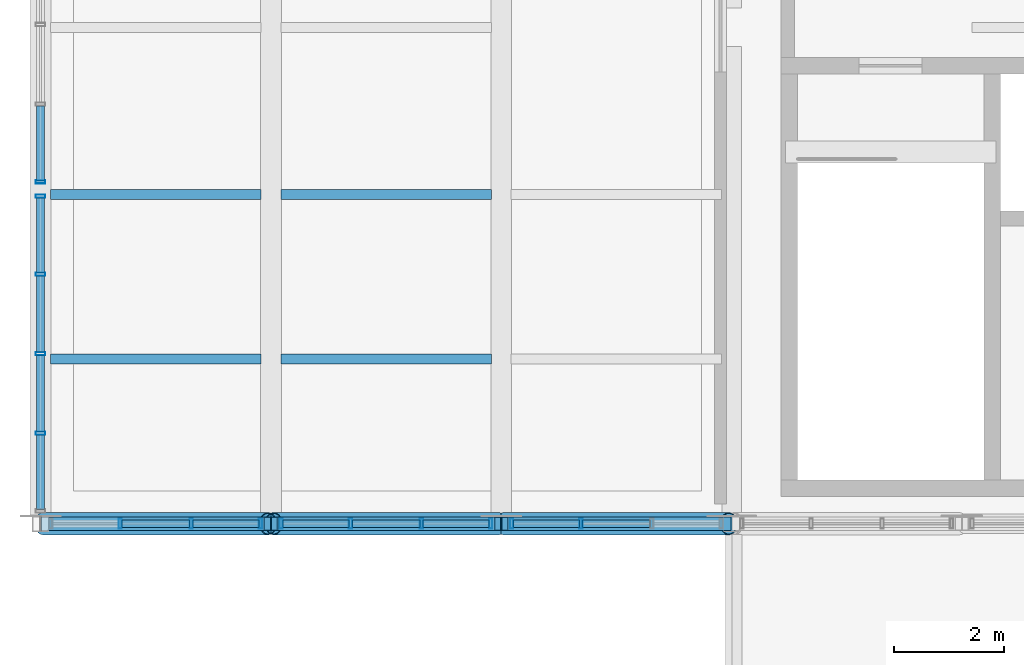
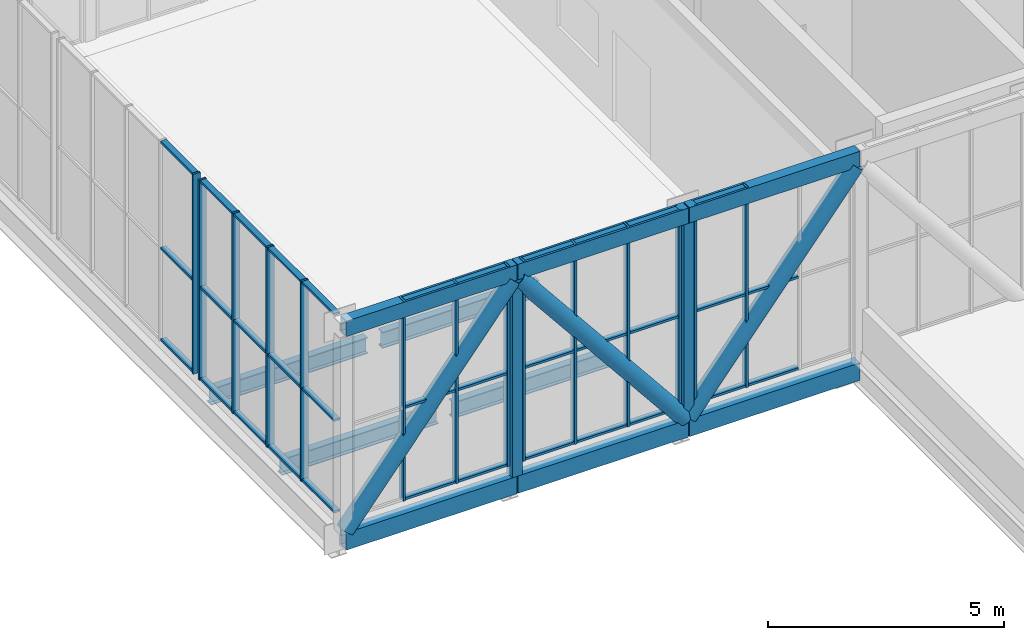
# One storey, part 2 of 58: 60 members, 4 beams, 5 elements without a shape of their own.
"""IFC4 building model written with IfcOpenShell, lengths in metres."""

from ifc_helpers import new_model, si_unit, direction, frame, origin, origin_2d, place, context, subcontext, project, spatial, hollow_rectangle, hollow_circle, i_section, extrude, material, material_profile, profile_set, type_object, element, aggregate, save


model = new_model("IFC4")

# Units and contexts
model_context = context("Model", 3, precision=1e-05, world=origin(), true_north=direction((0.0, 1.0)))
body_context = subcontext(model_context, "Body", "Model", "MODEL_VIEW")
ifc_project = project(units=[si_unit("LENGTHUNIT", "METRE"), si_unit("AREAUNIT", "SQUARE_METRE"), si_unit("VOLUMEUNIT", "CUBIC_METRE"), si_unit("PLANEANGLEUNIT", "RADIAN"), si_unit("MASSUNIT", "GRAM", prefix="KILO")], contexts=[model_context])

# Site, building, storey
site_placement = place(None, origin())
site = spatial("IfcSite", under=ifc_project, at=site_placement, CompositionType="ELEMENT")
building_placement = place(site_placement, origin())
building = spatial("IfcBuilding", under=site, at=building_placement, Name="Khurvash Pelagic Aquarium", CompositionType="ELEMENT")
storey_placement = place(building_placement, frame((0.0, 0.0, 24.60009765625)))
storey = spatial("IfcBuildingStorey", under=building, at=storey_placement, Name="L05", CompositionType="ELEMENT", Elevation=24.60009765625)

# Curtain wall, members
ifc_material_1 = material(Name="Anodised aluminium and low-E laminated glass", Category="aluminium")
curtain_wall_type_1 = type_object("IfcCurtainWallType", Name="CW-01", PredefinedType="USERDEFINED", material=ifc_material_1)
curtain_wall_1_placement = place(storey_placement, origin())
curtain_wall_1 = element("IfcCurtainWall", 1, at=curtain_wall_1_placement, inside=storey, type_object=curtain_wall_type_1, Name="L05 South Sky-Bar Unitised Curtain Wall CW-01 P01", ObjectType="UNITISED CURTAIN WALL", PredefinedType="USERDEFINED")
ifc_material_2 = material(Name="Extruded aluminium AW-6063-T6", Category="aluminium")
ifc_material_profile_1 = material_profile(ifc_material_2, hollow_rectangle(XDim=0.06005859375, YDim=0.179931640625, WallThickness=0.00390625, at=origin_2d()), Name="CWM60X180X4")
ifc_profile_set_1 = profile_set([ifc_material_profile_1], Name="Extruded aluminium AW-6063-T6")
member_type_1 = type_object("IfcMemberType", Name="CM-01", PredefinedType="MULLION", material=ifc_profile_set_1)
member_1_placement = place(storey_placement, frame((14.05322265625, 11.64990234375, 0.0), z_axis=(0.0, 0.0, 1.0), x_axis=(1.0, 0.0, 0.0)))
member_1 = element("IfcMember", 2, at=member_1_placement, type_object=member_type_1, Name="CW-01 mullion 2", PredefinedType="MULLION", context=body_context, shape_type="SweptSolid", body=[
    extrude(hollow_rectangle(XDim=0.06005859375, YDim=0.179931640625, WallThickness=0.00390625, at=origin_2d()), origin(), (0.0, 0.0, 1.0), 5.179931640625),
])
member_2_placement = place(storey_placement, frame((15.3466796875, 11.64990234375, 0.0), z_axis=(0.0, 0.0, 1.0), x_axis=(1.0, 0.0, 0.0)))
member_2 = element("IfcMember", 3, at=member_2_placement, type_object=member_type_1, Name="CW-01 mullion 3", PredefinedType="MULLION", context=body_context, shape_type="SweptSolid", body=[
    extrude(hollow_rectangle(XDim=0.06005859375, YDim=0.179931640625, WallThickness=0.00390625, at=origin_2d()), origin(), (0.0, 0.0, 1.0), 5.179931640625),
])
member_3_placement = place(storey_placement, frame((16.610107421875, 11.64990234375, 0.0), z_axis=(0.0, 0.0, 1.0), x_axis=(1.0, 0.0, 0.0)))
member_3 = element("IfcMember", 4, at=member_3_placement, type_object=member_type_1, Name="CW-01 mullion 4", PredefinedType="MULLION", context=body_context, shape_type="SweptSolid", body=[
    extrude(hollow_rectangle(XDim=0.06005859375, YDim=0.179931640625, WallThickness=0.00390625, at=origin_2d()), origin(), (0.0, 0.0, 1.0), 5.179931640625),
])

curtain_wall_2_placement = place(storey_placement, origin())
curtain_wall_2 = element("IfcCurtainWall", 5, at=curtain_wall_2_placement, inside=storey, type_object=curtain_wall_type_1, Name="L05 South Sky-Bar Unitised Curtain Wall CW-01 P02", ObjectType="UNITISED CURTAIN WALL", PredefinedType="USERDEFINED")
member_4_placement = place(storey_placement, frame((16.989990234375, 11.64990234375, 0.0), z_axis=(0.0, 0.0, 1.0), x_axis=(1.0, 0.0, 0.0)))
member_4 = element("IfcMember", 6, at=member_4_placement, type_object=member_type_1, Name="CW-01 mullion 1", PredefinedType="MULLION", context=body_context, shape_type="SweptSolid", body=[
    extrude(hollow_rectangle(XDim=0.06005859375, YDim=0.179931640625, WallThickness=0.00390625, at=origin_2d()), origin(), (0.0, 0.0, 1.0), 5.179931640625),
])
member_5_placement = place(storey_placement, frame((18.25341796875, 11.64990234375, 0.0), z_axis=(0.0, 0.0, 1.0), x_axis=(1.0, 0.0, 0.0)))
member_5 = element("IfcMember", 7, at=member_5_placement, type_object=member_type_1, Name="CW-01 mullion 2", PredefinedType="MULLION", context=body_context, shape_type="SweptSolid", body=[
    extrude(hollow_rectangle(XDim=0.06005859375, YDim=0.179931640625, WallThickness=0.00390625, at=origin_2d()), origin(), (0.0, 0.0, 1.0), 5.179931640625),
])
member_6_placement = place(storey_placement, frame((19.546630859375, 11.64990234375, 0.0), z_axis=(0.0, 0.0, 1.0), x_axis=(1.0, 0.0, 0.0)))
member_6 = element("IfcMember", 8, at=member_6_placement, type_object=member_type_1, Name="CW-01 mullion 3", PredefinedType="MULLION", context=body_context, shape_type="SweptSolid", body=[
    extrude(hollow_rectangle(XDim=0.06005859375, YDim=0.179931640625, WallThickness=0.00390625, at=origin_2d()), origin(), (0.0, 0.0, 1.0), 5.179931640625),
])
member_7_placement = place(storey_placement, frame((20.81005859375, 11.64990234375, 0.0), z_axis=(0.0, 0.0, 1.0), x_axis=(1.0, 0.0, 0.0)))
member_7 = element("IfcMember", 9, at=member_7_placement, type_object=member_type_1, Name="CW-01 mullion 4", PredefinedType="MULLION", context=body_context, shape_type="SweptSolid", body=[
    extrude(hollow_rectangle(XDim=0.06005859375, YDim=0.179931640625, WallThickness=0.00390625, at=origin_2d()), origin(), (0.0, 0.0, 1.0), 5.179931640625),
])

curtain_wall_3_placement = place(storey_placement, origin())
curtain_wall_3 = element("IfcCurtainWall", 10, at=curtain_wall_3_placement, inside=storey, type_object=curtain_wall_type_1, Name="L05 South Sky-Bar Unitised Curtain Wall CW-01 P03", ObjectType="UNITISED CURTAIN WALL", PredefinedType="USERDEFINED")
member_8_placement = place(storey_placement, frame((21.18994140625, 11.64990234375, 0.0), z_axis=(0.0, 0.0, 1.0), x_axis=(1.0, 0.0, 0.0)))
member_8 = element("IfcMember", 11, at=member_8_placement, type_object=member_type_1, Name="CW-01 mullion 1", PredefinedType="MULLION", context=body_context, shape_type="SweptSolid", body=[
    extrude(hollow_rectangle(XDim=0.06005859375, YDim=0.179931640625, WallThickness=0.00390625, at=origin_2d()), origin(), (0.0, 0.0, 1.0), 5.179931640625),
])
member_9_placement = place(storey_placement, frame((22.453369140625, 11.64990234375, 0.0), z_axis=(0.0, 0.0, 1.0), x_axis=(1.0, 0.0, 0.0)))
member_9 = element("IfcMember", 12, at=member_9_placement, type_object=member_type_1, Name="CW-01 mullion 2", PredefinedType="MULLION", context=body_context, shape_type="SweptSolid", body=[
    extrude(hollow_rectangle(XDim=0.06005859375, YDim=0.179931640625, WallThickness=0.00390625, at=origin_2d()), origin(), (0.0, 0.0, 1.0), 5.179931640625),
])

curtain_wall_type_2 = type_object("IfcCurtainWallType", Name="CW-04", PredefinedType="USERDEFINED", material=ifc_material_1)
curtain_wall_4_placement = place(storey_placement, origin())
curtain_wall_4 = element("IfcCurtainWall", 13, at=curtain_wall_4_placement, inside=storey, type_object=curtain_wall_type_2, Name="L05 West Cantilever Overlook Curtain Wall CW-04", ObjectType="UNITISED CURTAIN WALL", PredefinedType="USERDEFINED")
member_10_placement = place(storey_placement, frame((12.60009765625, 13.300048828125, 0.0), z_axis=(0.0, 0.0, 1.0), x_axis=(0.0, 1.0, 0.0)))
member_10 = element("IfcMember", 14, at=member_10_placement, type_object=member_type_1, Name="CW-04 mullion 2", PredefinedType="MULLION", context=body_context, shape_type="SweptSolid", body=[
    extrude(hollow_rectangle(XDim=0.06005859375, YDim=0.179931640625, WallThickness=0.00390625, at=origin_2d()), origin(), (0.0, 0.0, 1.0), 5.179931640625),
])
member_11_placement = place(storey_placement, frame((12.60009765625, 14.75, 0.0), z_axis=(0.0, 0.0, 1.0), x_axis=(0.0, 1.0, 0.0)))
member_11 = element("IfcMember", 15, at=member_11_placement, type_object=member_type_1, Name="CW-04 mullion 3", PredefinedType="MULLION", context=body_context, shape_type="SweptSolid", body=[
    extrude(hollow_rectangle(XDim=0.06005859375, YDim=0.179931640625, WallThickness=0.00390625, at=origin_2d()), origin(), (0.0, 0.0, 1.0), 5.179931640625),
])
member_12_placement = place(storey_placement, frame((12.60009765625, 16.199951171875, 0.0), z_axis=(0.0, 0.0, 1.0), x_axis=(0.0, 1.0, 0.0)))
member_12 = element("IfcMember", 16, at=member_12_placement, type_object=member_type_1, Name="CW-04 mullion 4", PredefinedType="MULLION", context=body_context, shape_type="SweptSolid", body=[
    extrude(hollow_rectangle(XDim=0.06005859375, YDim=0.179931640625, WallThickness=0.00390625, at=origin_2d()), origin(), (0.0, 0.0, 1.0), 5.179931640625),
])
member_13_placement = place(storey_placement, frame((12.60009765625, 17.6201171875, 0.0), z_axis=(0.0, 0.0, 1.0), x_axis=(0.0, 1.0, 0.0)))
member_13 = element("IfcMember", 17, at=member_13_placement, type_object=member_type_1, Name="CW-04 mullion 5", PredefinedType="MULLION", context=body_context, shape_type="SweptSolid", body=[
    extrude(hollow_rectangle(XDim=0.06005859375, YDim=0.179931640625, WallThickness=0.00390625, at=origin_2d()), origin(), (0.0, 0.0, 1.0), 5.179931640625),
])

# Curtain wall, member
curtain_wall_5_placement = place(storey_placement, origin())
curtain_wall_5 = element("IfcCurtainWall", 18, at=curtain_wall_5_placement, inside=storey, type_object=curtain_wall_type_2, Name="L05 West Cantilever Overlook Curtain Wall CW-04", ObjectType="UNITISED CURTAIN WALL", PredefinedType="USERDEFINED")
member_14_placement = place(storey_placement, frame((12.60009765625, 17.8798828125, 0.0), z_axis=(0.0, 0.0, 1.0), x_axis=(0.0, 1.0, 0.0)))
member_14 = element("IfcMember", 19, at=member_14_placement, type_object=member_type_1, Name="CW-04 mullion 1", PredefinedType="MULLION", context=body_context, shape_type="SweptSolid", body=[
    extrude(hollow_rectangle(XDim=0.06005859375, YDim=0.179931640625, WallThickness=0.00390625, at=origin_2d()), origin(), (0.0, 0.0, 1.0), 5.179931640625),
])

# Member
ifc_material_profile_2 = material_profile(ifc_material_2, hollow_rectangle(XDim=0.139892578125, YDim=0.06005859375, WallThickness=0.00390625, at=origin_2d()), Name="CWT140X60X4")
ifc_profile_set_2 = profile_set([ifc_material_profile_2], Name="Extruded aluminium AW-6063-T6")
member_type_2 = type_object("IfcMemberType", Name="CT-01", PredefinedType="USERDEFINED", material=ifc_profile_set_2)
member_15_placement = place(storey_placement, frame((14.083251953125, 11.64990234375, 0.02978515625), z_axis=(1.0, 0.0, 0.0), x_axis=(0.0, 1.0, 0.0)))
member_15 = element("IfcMember", 20, at=member_15_placement, type_object=member_type_2, Name="CW-01 transom 2.1", ObjectType="TRANSOM", PredefinedType="USERDEFINED", context=body_context, shape_type="SweptSolid", body=[
    extrude(hollow_rectangle(XDim=0.139892578125, YDim=0.06005859375, WallThickness=0.00390625, at=origin_2d()), origin(), (0.0, 0.0, 1.0), 1.2333984375),
])

member_16_placement = place(storey_placement, frame((14.083251953125, 11.64990234375, 2.39990234375), z_axis=(1.0, 0.0, 0.0), x_axis=(0.0, 1.0, 0.0)))
member_16 = element("IfcMember", 21, at=member_16_placement, type_object=member_type_2, Name="CW-01 transom 2.2", ObjectType="TRANSOM", PredefinedType="USERDEFINED", context=body_context, shape_type="SweptSolid", body=[
    extrude(hollow_rectangle(XDim=0.139892578125, YDim=0.06005859375, WallThickness=0.00390625, at=origin_2d()), origin(), (0.0, 0.0, 1.0), 1.2333984375),
])

member_17_placement = place(storey_placement, frame((14.083251953125, 11.64990234375, 5.14990234375), z_axis=(1.0, 0.0, 0.0), x_axis=(0.0, 1.0, 0.0)))
member_17 = element("IfcMember", 22, at=member_17_placement, type_object=member_type_2, Name="CW-01 transom 2.3", ObjectType="TRANSOM", PredefinedType="USERDEFINED", context=body_context, shape_type="SweptSolid", body=[
    extrude(hollow_rectangle(XDim=0.139892578125, YDim=0.06005859375, WallThickness=0.00390625, at=origin_2d()), origin(), (0.0, 0.0, 1.0), 1.2333984375),
])

member_18_placement = place(storey_placement, frame((15.376708984375, 11.64990234375, 0.02978515625), z_axis=(1.0, 0.0, 0.0), x_axis=(0.0, 1.0, 0.0)))
member_18 = element("IfcMember", 23, at=member_18_placement, type_object=member_type_2, Name="CW-01 transom 3.1", ObjectType="TRANSOM", PredefinedType="USERDEFINED", context=body_context, shape_type="SweptSolid", body=[
    extrude(hollow_rectangle(XDim=0.139892578125, YDim=0.06005859375, WallThickness=0.00390625, at=origin_2d()), origin(), (0.0, 0.0, 1.0), 1.203369140625),
])

member_19_placement = place(storey_placement, frame((15.376708984375, 11.64990234375, 2.39990234375), z_axis=(1.0, 0.0, 0.0), x_axis=(0.0, 1.0, 0.0)))
member_19 = element("IfcMember", 24, at=member_19_placement, type_object=member_type_2, Name="CW-01 transom 3.2", ObjectType="TRANSOM", PredefinedType="USERDEFINED", context=body_context, shape_type="SweptSolid", body=[
    extrude(hollow_rectangle(XDim=0.139892578125, YDim=0.06005859375, WallThickness=0.00390625, at=origin_2d()), origin(), (0.0, 0.0, 1.0), 1.203369140625),
])

member_20_placement = place(storey_placement, frame((15.376708984375, 11.64990234375, 5.14990234375), z_axis=(1.0, 0.0, 0.0), x_axis=(0.0, 1.0, 0.0)))
member_20 = element("IfcMember", 25, at=member_20_placement, type_object=member_type_2, Name="CW-01 transom 3.3", ObjectType="TRANSOM", PredefinedType="USERDEFINED", context=body_context, shape_type="SweptSolid", body=[
    extrude(hollow_rectangle(XDim=0.139892578125, YDim=0.06005859375, WallThickness=0.00390625, at=origin_2d()), origin(), (0.0, 0.0, 1.0), 1.203369140625),
])

aggregate(curtain_wall_1, [member_1, member_2, member_3, member_15, member_16, member_17, member_18, member_19, member_20])

member_21_placement = place(storey_placement, frame((17.02001953125, 11.64990234375, 0.02978515625), z_axis=(1.0, 0.0, 0.0), x_axis=(0.0, 1.0, 0.0)))
member_21 = element("IfcMember", 26, at=member_21_placement, type_object=member_type_2, Name="CW-01 transom 1.1", ObjectType="TRANSOM", PredefinedType="USERDEFINED", context=body_context, shape_type="SweptSolid", body=[
    extrude(hollow_rectangle(XDim=0.139892578125, YDim=0.06005859375, WallThickness=0.00390625, at=origin_2d()), origin(), (0.0, 0.0, 1.0), 1.203369140625),
])

member_22_placement = place(storey_placement, frame((17.02001953125, 11.64990234375, 2.39990234375), z_axis=(1.0, 0.0, 0.0), x_axis=(0.0, 1.0, 0.0)))
member_22 = element("IfcMember", 27, at=member_22_placement, type_object=member_type_2, Name="CW-01 transom 1.2", ObjectType="TRANSOM", PredefinedType="USERDEFINED", context=body_context, shape_type="SweptSolid", body=[
    extrude(hollow_rectangle(XDim=0.139892578125, YDim=0.06005859375, WallThickness=0.00390625, at=origin_2d()), origin(), (0.0, 0.0, 1.0), 1.203369140625),
])

member_23_placement = place(storey_placement, frame((17.02001953125, 11.64990234375, 5.14990234375), z_axis=(1.0, 0.0, 0.0), x_axis=(0.0, 1.0, 0.0)))
member_23 = element("IfcMember", 28, at=member_23_placement, type_object=member_type_2, Name="CW-01 transom 1.3", ObjectType="TRANSOM", PredefinedType="USERDEFINED", context=body_context, shape_type="SweptSolid", body=[
    extrude(hollow_rectangle(XDim=0.139892578125, YDim=0.06005859375, WallThickness=0.00390625, at=origin_2d()), origin(), (0.0, 0.0, 1.0), 1.203369140625),
])

member_24_placement = place(storey_placement, frame((18.283447265625, 11.64990234375, 0.02978515625), z_axis=(1.0, 0.0, 0.0), x_axis=(0.0, 1.0, 0.0)))
member_24 = element("IfcMember", 29, at=member_24_placement, type_object=member_type_2, Name="CW-01 transom 2.1", ObjectType="TRANSOM", PredefinedType="USERDEFINED", context=body_context, shape_type="SweptSolid", body=[
    extrude(hollow_rectangle(XDim=0.139892578125, YDim=0.06005859375, WallThickness=0.00390625, at=origin_2d()), origin(), (0.0, 0.0, 1.0), 1.233154296875),
])

member_25_placement = place(storey_placement, frame((18.283447265625, 11.64990234375, 2.39990234375), z_axis=(1.0, 0.0, 0.0), x_axis=(0.0, 1.0, 0.0)))
member_25 = element("IfcMember", 30, at=member_25_placement, type_object=member_type_2, Name="CW-01 transom 2.2", ObjectType="TRANSOM", PredefinedType="USERDEFINED", context=body_context, shape_type="SweptSolid", body=[
    extrude(hollow_rectangle(XDim=0.139892578125, YDim=0.06005859375, WallThickness=0.00390625, at=origin_2d()), origin(), (0.0, 0.0, 1.0), 1.233154296875),
])

member_26_placement = place(storey_placement, frame((18.283447265625, 11.64990234375, 5.14990234375), z_axis=(1.0, 0.0, 0.0), x_axis=(0.0, 1.0, 0.0)))
member_26 = element("IfcMember", 31, at=member_26_placement, type_object=member_type_2, Name="CW-01 transom 2.3", ObjectType="TRANSOM", PredefinedType="USERDEFINED", context=body_context, shape_type="SweptSolid", body=[
    extrude(hollow_rectangle(XDim=0.139892578125, YDim=0.06005859375, WallThickness=0.00390625, at=origin_2d()), origin(), (0.0, 0.0, 1.0), 1.233154296875),
])

member_27_placement = place(storey_placement, frame((19.57666015625, 11.64990234375, 0.02978515625), z_axis=(1.0, 0.0, 0.0), x_axis=(0.0, 1.0, 0.0)))
member_27 = element("IfcMember", 32, at=member_27_placement, type_object=member_type_2, Name="CW-01 transom 3.1", ObjectType="TRANSOM", PredefinedType="USERDEFINED", context=body_context, shape_type="SweptSolid", body=[
    extrude(hollow_rectangle(XDim=0.139892578125, YDim=0.06005859375, WallThickness=0.00390625, at=origin_2d()), origin(), (0.0, 0.0, 1.0), 1.203369140625),
])

member_28_placement = place(storey_placement, frame((19.57666015625, 11.64990234375, 2.39990234375), z_axis=(1.0, 0.0, 0.0), x_axis=(0.0, 1.0, 0.0)))
member_28 = element("IfcMember", 33, at=member_28_placement, type_object=member_type_2, Name="CW-01 transom 3.2", ObjectType="TRANSOM", PredefinedType="USERDEFINED", context=body_context, shape_type="SweptSolid", body=[
    extrude(hollow_rectangle(XDim=0.139892578125, YDim=0.06005859375, WallThickness=0.00390625, at=origin_2d()), origin(), (0.0, 0.0, 1.0), 1.203369140625),
])

member_29_placement = place(storey_placement, frame((19.57666015625, 11.64990234375, 5.14990234375), z_axis=(1.0, 0.0, 0.0), x_axis=(0.0, 1.0, 0.0)))
member_29 = element("IfcMember", 34, at=member_29_placement, type_object=member_type_2, Name="CW-01 transom 3.3", ObjectType="TRANSOM", PredefinedType="USERDEFINED", context=body_context, shape_type="SweptSolid", body=[
    extrude(hollow_rectangle(XDim=0.139892578125, YDim=0.06005859375, WallThickness=0.00390625, at=origin_2d()), origin(), (0.0, 0.0, 1.0), 1.203369140625),
])

aggregate(curtain_wall_2, [member_4, member_5, member_6, member_7, member_21, member_22, member_23, member_24, member_25, member_26, member_27, member_28, member_29])

member_30_placement = place(storey_placement, frame((21.219970703125, 11.64990234375, 0.02978515625), z_axis=(1.0, 0.0, 0.0), x_axis=(0.0, 1.0, 0.0)))
member_30 = element("IfcMember", 35, at=member_30_placement, type_object=member_type_2, Name="CW-01 transom 1.1", ObjectType="TRANSOM", PredefinedType="USERDEFINED", context=body_context, shape_type="SweptSolid", body=[
    extrude(hollow_rectangle(XDim=0.139892578125, YDim=0.06005859375, WallThickness=0.00390625, at=origin_2d()), origin(), (0.0, 0.0, 1.0), 1.203369140625),
])

member_31_placement = place(storey_placement, frame((21.219970703125, 11.64990234375, 2.39990234375), z_axis=(1.0, 0.0, 0.0), x_axis=(0.0, 1.0, 0.0)))
member_31 = element("IfcMember", 36, at=member_31_placement, type_object=member_type_2, Name="CW-01 transom 1.2", ObjectType="TRANSOM", PredefinedType="USERDEFINED", context=body_context, shape_type="SweptSolid", body=[
    extrude(hollow_rectangle(XDim=0.139892578125, YDim=0.06005859375, WallThickness=0.00390625, at=origin_2d()), origin(), (0.0, 0.0, 1.0), 1.203369140625),
])

member_32_placement = place(storey_placement, frame((21.219970703125, 11.64990234375, 5.14990234375), z_axis=(1.0, 0.0, 0.0), x_axis=(0.0, 1.0, 0.0)))
member_32 = element("IfcMember", 37, at=member_32_placement, type_object=member_type_2, Name="CW-01 transom 1.3", ObjectType="TRANSOM", PredefinedType="USERDEFINED", context=body_context, shape_type="SweptSolid", body=[
    extrude(hollow_rectangle(XDim=0.139892578125, YDim=0.06005859375, WallThickness=0.00390625, at=origin_2d()), origin(), (0.0, 0.0, 1.0), 1.203369140625),
])

member_33_placement = place(storey_placement, frame((22.4833984375, 11.64990234375, 0.02978515625), z_axis=(1.0, 0.0, 0.0), x_axis=(0.0, 1.0, 0.0)))
member_33 = element("IfcMember", 38, at=member_33_placement, type_object=member_type_2, Name="CW-01 transom 2.1", ObjectType="TRANSOM", PredefinedType="USERDEFINED", context=body_context, shape_type="SweptSolid", body=[
    extrude(hollow_rectangle(XDim=0.139892578125, YDim=0.06005859375, WallThickness=0.00390625, at=origin_2d()), origin(), (0.0, 0.0, 1.0), 1.233154296875),
])

member_34_placement = place(storey_placement, frame((22.4833984375, 11.64990234375, 2.39990234375), z_axis=(1.0, 0.0, 0.0), x_axis=(0.0, 1.0, 0.0)))
member_34 = element("IfcMember", 39, at=member_34_placement, type_object=member_type_2, Name="CW-01 transom 2.2", ObjectType="TRANSOM", PredefinedType="USERDEFINED", context=body_context, shape_type="SweptSolid", body=[
    extrude(hollow_rectangle(XDim=0.139892578125, YDim=0.06005859375, WallThickness=0.00390625, at=origin_2d()), origin(), (0.0, 0.0, 1.0), 1.233154296875),
])

aggregate(curtain_wall_3, [member_8, member_9, member_30, member_31, member_32, member_33, member_34])

member_35_placement = place(storey_placement, frame((12.60009765625, 11.909912109375, 0.02978515625), z_axis=(0.0, 1.0, 0.0), x_axis=(-1.0, 0.0, 0.0)))
member_35 = element("IfcMember", 40, at=member_35_placement, type_object=member_type_2, Name="CW-04 transom 1.1", ObjectType="TRANSOM", PredefinedType="USERDEFINED", context=body_context, shape_type="SweptSolid", body=[
    extrude(hollow_rectangle(XDim=0.139892578125, YDim=0.06005859375, WallThickness=0.00390625, at=origin_2d()), origin(), (0.0, 0.0, 1.0), 1.360107421875),
])

member_36_placement = place(storey_placement, frame((12.60009765625, 11.909912109375, 2.39990234375), z_axis=(0.0, 1.0, 0.0), x_axis=(-1.0, 0.0, 0.0)))
member_36 = element("IfcMember", 41, at=member_36_placement, type_object=member_type_2, Name="CW-04 transom 1.2", ObjectType="TRANSOM", PredefinedType="USERDEFINED", context=body_context, shape_type="SweptSolid", body=[
    extrude(hollow_rectangle(XDim=0.139892578125, YDim=0.06005859375, WallThickness=0.00390625, at=origin_2d()), origin(), (0.0, 0.0, 1.0), 1.360107421875),
])

member_37_placement = place(storey_placement, frame((12.60009765625, 11.909912109375, 5.14990234375), z_axis=(0.0, 1.0, 0.0), x_axis=(-1.0, 0.0, 0.0)))
member_37 = element("IfcMember", 42, at=member_37_placement, type_object=member_type_2, Name="CW-04 transom 1.3", ObjectType="TRANSOM", PredefinedType="USERDEFINED", context=body_context, shape_type="SweptSolid", body=[
    extrude(hollow_rectangle(XDim=0.139892578125, YDim=0.06005859375, WallThickness=0.00390625, at=origin_2d()), origin(), (0.0, 0.0, 1.0), 1.360107421875),
])

member_38_placement = place(storey_placement, frame((12.60009765625, 13.330078125, 0.02978515625), z_axis=(0.0, 1.0, 0.0), x_axis=(-1.0, 0.0, 0.0)))
member_38 = element("IfcMember", 43, at=member_38_placement, type_object=member_type_2, Name="CW-04 transom 2.1", ObjectType="TRANSOM", PredefinedType="USERDEFINED", context=body_context, shape_type="SweptSolid", body=[
    extrude(hollow_rectangle(XDim=0.139892578125, YDim=0.06005859375, WallThickness=0.00390625, at=origin_2d()), origin(), (0.0, 0.0, 1.0), 1.389892578125),
])

member_39_placement = place(storey_placement, frame((12.60009765625, 13.330078125, 2.39990234375), z_axis=(0.0, 1.0, 0.0), x_axis=(-1.0, 0.0, 0.0)))
member_39 = element("IfcMember", 44, at=member_39_placement, type_object=member_type_2, Name="CW-04 transom 2.2", ObjectType="TRANSOM", PredefinedType="USERDEFINED", context=body_context, shape_type="SweptSolid", body=[
    extrude(hollow_rectangle(XDim=0.139892578125, YDim=0.06005859375, WallThickness=0.00390625, at=origin_2d()), origin(), (0.0, 0.0, 1.0), 1.389892578125),
])

member_40_placement = place(storey_placement, frame((12.60009765625, 13.330078125, 5.14990234375), z_axis=(0.0, 1.0, 0.0), x_axis=(-1.0, 0.0, 0.0)))
member_40 = element("IfcMember", 45, at=member_40_placement, type_object=member_type_2, Name="CW-04 transom 2.3", ObjectType="TRANSOM", PredefinedType="USERDEFINED", context=body_context, shape_type="SweptSolid", body=[
    extrude(hollow_rectangle(XDim=0.139892578125, YDim=0.06005859375, WallThickness=0.00390625, at=origin_2d()), origin(), (0.0, 0.0, 1.0), 1.389892578125),
])

member_41_placement = place(storey_placement, frame((12.60009765625, 14.780029296875, 0.02978515625), z_axis=(0.0, 1.0, 0.0), x_axis=(-1.0, 0.0, 0.0)))
member_41 = element("IfcMember", 46, at=member_41_placement, type_object=member_type_2, Name="CW-04 transom 3.1", ObjectType="TRANSOM", PredefinedType="USERDEFINED", context=body_context, shape_type="SweptSolid", body=[
    extrude(hollow_rectangle(XDim=0.139892578125, YDim=0.06005859375, WallThickness=0.00390625, at=origin_2d()), origin(), (0.0, 0.0, 1.0), 1.389892578125),
])

member_42_placement = place(storey_placement, frame((12.60009765625, 14.780029296875, 2.39990234375), z_axis=(0.0, 1.0, 0.0), x_axis=(-1.0, 0.0, 0.0)))
member_42 = element("IfcMember", 47, at=member_42_placement, type_object=member_type_2, Name="CW-04 transom 3.2", ObjectType="TRANSOM", PredefinedType="USERDEFINED", context=body_context, shape_type="SweptSolid", body=[
    extrude(hollow_rectangle(XDim=0.139892578125, YDim=0.06005859375, WallThickness=0.00390625, at=origin_2d()), origin(), (0.0, 0.0, 1.0), 1.389892578125),
])

member_43_placement = place(storey_placement, frame((12.60009765625, 14.780029296875, 5.14990234375), z_axis=(0.0, 1.0, 0.0), x_axis=(-1.0, 0.0, 0.0)))
member_43 = element("IfcMember", 48, at=member_43_placement, type_object=member_type_2, Name="CW-04 transom 3.3", ObjectType="TRANSOM", PredefinedType="USERDEFINED", context=body_context, shape_type="SweptSolid", body=[
    extrude(hollow_rectangle(XDim=0.139892578125, YDim=0.06005859375, WallThickness=0.00390625, at=origin_2d()), origin(), (0.0, 0.0, 1.0), 1.389892578125),
])

member_44_placement = place(storey_placement, frame((12.60009765625, 16.22998046875, 0.02978515625), z_axis=(0.0, 1.0, 0.0), x_axis=(-1.0, 0.0, 0.0)))
member_44 = element("IfcMember", 49, at=member_44_placement, type_object=member_type_2, Name="CW-04 transom 4.1", ObjectType="TRANSOM", PredefinedType="USERDEFINED", context=body_context, shape_type="SweptSolid", body=[
    extrude(hollow_rectangle(XDim=0.139892578125, YDim=0.06005859375, WallThickness=0.00390625, at=origin_2d()), origin(), (0.0, 0.0, 1.0), 1.360107421875),
])

member_45_placement = place(storey_placement, frame((12.60009765625, 16.22998046875, 2.39990234375), z_axis=(0.0, 1.0, 0.0), x_axis=(-1.0, 0.0, 0.0)))
member_45 = element("IfcMember", 50, at=member_45_placement, type_object=member_type_2, Name="CW-04 transom 4.2", ObjectType="TRANSOM", PredefinedType="USERDEFINED", context=body_context, shape_type="SweptSolid", body=[
    extrude(hollow_rectangle(XDim=0.139892578125, YDim=0.06005859375, WallThickness=0.00390625, at=origin_2d()), origin(), (0.0, 0.0, 1.0), 1.360107421875),
])

member_46_placement = place(storey_placement, frame((12.60009765625, 16.22998046875, 5.14990234375), z_axis=(0.0, 1.0, 0.0), x_axis=(-1.0, 0.0, 0.0)))
member_46 = element("IfcMember", 51, at=member_46_placement, type_object=member_type_2, Name="CW-04 transom 4.3", ObjectType="TRANSOM", PredefinedType="USERDEFINED", context=body_context, shape_type="SweptSolid", body=[
    extrude(hollow_rectangle(XDim=0.139892578125, YDim=0.06005859375, WallThickness=0.00390625, at=origin_2d()), origin(), (0.0, 0.0, 1.0), 1.360107421875),
])

aggregate(curtain_wall_4, [member_10, member_11, member_12, member_13, member_35, member_36, member_37, member_38, member_39, member_40, member_41, member_42, member_43, member_44, member_45, member_46])

member_47_placement = place(storey_placement, frame((12.60009765625, 17.909912109375, 0.02978515625), z_axis=(0.0, 1.0, 0.0), x_axis=(-1.0, 0.0, 0.0)))
member_47 = element("IfcMember", 52, at=member_47_placement, type_object=member_type_2, Name="CW-04 transom 1.1", ObjectType="TRANSOM", PredefinedType="USERDEFINED", context=body_context, shape_type="SweptSolid", body=[
    extrude(hollow_rectangle(XDim=0.139892578125, YDim=0.06005859375, WallThickness=0.00390625, at=origin_2d()), origin(), (0.0, 0.0, 1.0), 1.360107421875),
])

member_48_placement = place(storey_placement, frame((12.60009765625, 17.909912109375, 2.39990234375), z_axis=(0.0, 1.0, 0.0), x_axis=(-1.0, 0.0, 0.0)))
member_48 = element("IfcMember", 53, at=member_48_placement, type_object=member_type_2, Name="CW-04 transom 1.2", ObjectType="TRANSOM", PredefinedType="USERDEFINED", context=body_context, shape_type="SweptSolid", body=[
    extrude(hollow_rectangle(XDim=0.139892578125, YDim=0.06005859375, WallThickness=0.00390625, at=origin_2d()), origin(), (0.0, 0.0, 1.0), 1.360107421875),
])

member_49_placement = place(storey_placement, frame((12.60009765625, 17.909912109375, 5.14990234375), z_axis=(0.0, 1.0, 0.0), x_axis=(-1.0, 0.0, 0.0)))
member_49 = element("IfcMember", 54, at=member_49_placement, type_object=member_type_2, Name="CW-04 transom 1.3", ObjectType="TRANSOM", PredefinedType="USERDEFINED", context=body_context, shape_type="SweptSolid", body=[
    extrude(hollow_rectangle(XDim=0.139892578125, YDim=0.06005859375, WallThickness=0.00390625, at=origin_2d()), origin(), (0.0, 0.0, 1.0), 1.360107421875),
])

aggregate(curtain_wall_5, [member_14, member_47, member_48, member_49])

# Beams
ifc_material_3 = material(Name="Steel ASTM A992 Grade 50", Category="steel")
ifc_material_profile_3 = material_profile(ifc_material_3, i_section(OverallWidth=0.180908203125, OverallDepth=0.4169921875, WebThickness=0.010986328125, FlangeThickness=0.018310546875, at=origin_2d()), Name="W16X57")
ifc_profile_set_3 = profile_set([ifc_material_profile_3], Name="Steel ASTM A992 Grade 50")
beam_type = type_object("IfcBeamType", Name="JS-03", PredefinedType="JOIST", material=ifc_profile_set_3)
for number, where, z_axis, x_axis, name in (
    (55, (12.780029296875, 14.64990234375, -0.508544921875), (1.0, 0.0, 0.0), (0.0, 1.0, 0.0), "L05 Sky-Bar Floor Joist JS-03 P01"),
    (56, (12.780029296875, 17.64990234375, -0.508544921875), (1.0, 0.0, 0.0), (0.0, 1.0, 0.0), "L05 Sky-Bar Floor Joist JS-03 P01"),
    (57, (16.97998046875, 14.64990234375, -0.508544921875), (1.0, 0.0, 0.0), (0.0, 1.0, 0.0), "L05 Sky-Bar Floor Joist JS-03 P02"),
    (58, (16.97998046875, 17.64990234375, -0.508544921875), (1.0, 0.0, 0.0), (0.0, 1.0, 0.0), "L05 Sky-Bar Floor Joist JS-03 P02"),
):
    element("IfcBeam", number, at=place(storey_placement, frame(where, z_axis=z_axis, x_axis=x_axis)), inside=storey, type_object=beam_type, Name=name, PredefinedType="JOIST", context=body_context, shape_type="SweptSolid", body=[
        extrude(i_section(OverallWidth=0.180908203125, OverallDepth=0.4169921875, WebThickness=0.010986328125, FlangeThickness=0.018310546875, at=origin_2d()), origin(), (0.0, 0.0, 1.0), 3.840087890625),
    ])

# Members
ifc_material_4 = material(Name="Steel S355J2", Category="steel")
ifc_material_profile_4 = material_profile(ifc_material_4, hollow_rectangle(XDim=0.25, YDim=0.449951171875, WallThickness=0.02001953125, at=origin_2d()), Name="RHS450X250X20")
ifc_profile_set_4 = profile_set([ifc_material_profile_4], Name="Steel S355J2")
member_type_3 = type_object("IfcMemberType", Name="TC-01", PredefinedType="CHORD", material=ifc_profile_set_4)
for number, where, z_axis, x_axis, name in (
    (59, (12.610107421875, 11.64990234375, -0.525146484375), (1.0, 0.0, 0.0), (0.0, 1.0, 0.0), "L05 South Sky-Bar Warren Truss Bottom Chord TC-01 P01"),
    (60, (16.81005859375, 11.64990234375, -0.525146484375), (1.0, 0.0, 0.0), (0.0, 1.0, 0.0), "L05 South Sky-Bar Warren Truss Bottom Chord TC-01 P02"),
    (61, (21.010009765625, 11.64990234375, -0.525146484375), (1.0, 0.0, 0.0), (0.0, 1.0, 0.0), "L05 South Sky-Bar Warren Truss Bottom Chord TC-01 P03"),
):
    element("IfcMember", number, at=place(storey_placement, frame(where, z_axis=z_axis, x_axis=x_axis)), inside=storey, type_object=member_type_3, Name=name, PredefinedType="CHORD", context=body_context, shape_type="SweptSolid", body=[
        extrude(hollow_rectangle(XDim=0.25, YDim=0.449951171875, WallThickness=0.02001953125, at=origin_2d()), origin(), (0.0, 0.0, 1.0), 4.179931640625),
    ])
ifc_material_profile_5 = material_profile(ifc_material_4, hollow_rectangle(XDim=0.25, YDim=0.39990234375, WallThickness=0.01611328125, at=origin_2d()), Name="RHS400X250X16")
ifc_profile_set_5 = profile_set([ifc_material_profile_5], Name="Steel S355J2")
member_type_4 = type_object("IfcMemberType", Name="TC-02", PredefinedType="CHORD", material=ifc_profile_set_5)
for number, where, z_axis, x_axis, name in (
    (62, (12.610107421875, 11.64990234375, 4.97998046875), (1.0, 0.0, 0.0), (0.0, 1.0, 0.0), "L05 South Sky-Bar Warren Truss Top Chord TC-02 P01"),
    (63, (16.81005859375, 11.64990234375, 4.97998046875), (1.0, 0.0, 0.0), (0.0, 1.0, 0.0), "L05 South Sky-Bar Warren Truss Top Chord TC-02 P02"),
    (64, (21.010009765625, 11.64990234375, 4.97998046875), (1.0, 0.0, 0.0), (0.0, 1.0, 0.0), "L05 South Sky-Bar Warren Truss Top Chord TC-02 P03"),
):
    element("IfcMember", number, at=place(storey_placement, frame(where, z_axis=z_axis, x_axis=x_axis)), inside=storey, type_object=member_type_4, Name=name, PredefinedType="CHORD", context=body_context, shape_type="SweptSolid", body=[
        extrude(hollow_rectangle(XDim=0.25, YDim=0.39990234375, WallThickness=0.01611328125, at=origin_2d()), origin(), (0.0, 0.0, 1.0), 4.179931640625),
    ])
ifc_material_profile_6 = material_profile(ifc_material_4, hollow_circle(Radius=0.203125, WallThickness=0.01611328125, at=origin_2d()), Name="CHS406X16")
ifc_profile_set_6 = profile_set([ifc_material_profile_6], Name="Steel S355J2")
member_type_5 = type_object("IfcMemberType", Name="TD-01", PredefinedType="BRACE", material=ifc_profile_set_6)
member_50_placement = place(storey_placement, frame((12.64990234375, 11.64990234375, -0.300048828125), z_axis=(0.628073304864, 0.0, 0.778154177343), x_axis=(0.0, 1.0, 0.0)))
element("IfcMember", 65, at=member_50_placement, inside=storey, type_object=member_type_5, Name="L05 South Sky-Bar Warren Truss Diagonal TD-01 P01", PredefinedType="BRACE", context=body_context, shape_type="SweptSolid", body=[
    extrude(hollow_circle(Radius=0.203125, WallThickness=0.01611328125, at=origin_2d()), origin(), (0.0, 0.0, 1.0), 6.528076171875),
])
for number, where, z_axis, x_axis, name in (
    (66, (16.85009765625, 11.64990234375, 4.77978515625), (0.628050658275, 0.0, -0.778172455591), (0.0, 1.0, 0.0), "L05 South Sky-Bar Warren Truss Diagonal TD-01 P02"),
    (67, (21.050048828125, 11.64990234375, -0.300048828125), (0.628050658275, 0.0, 0.778172455591), (0.0, 1.0, 0.0), "L05 South Sky-Bar Warren Truss Diagonal TD-01 P03"),
):
    element("IfcMember", number, at=place(storey_placement, frame(where, z_axis=z_axis, x_axis=x_axis)), inside=storey, type_object=member_type_5, Name=name, PredefinedType="BRACE", context=body_context, shape_type="SweptSolid", body=[
        extrude(hollow_circle(Radius=0.203125, WallThickness=0.01611328125, at=origin_2d()), origin(), (0.0, 0.0, 1.0), 6.52783203125),
    ])
ifc_material_profile_7 = material_profile(ifc_material_4, hollow_rectangle(XDim=0.25, YDim=0.25, WallThickness=0.012451171875, at=origin_2d()), Name="SHS250X250X12")
ifc_profile_set_7 = profile_set([ifc_material_profile_7], Name="Steel S355J2")
member_type_6 = type_object("IfcMemberType", Name="TV-02", PredefinedType="POST", material=ifc_profile_set_7)
for number, where, z_axis, x_axis, name in (
    (68, (16.800048828125, 11.64990234375, -0.300048828125), (0.0, 0.0, 1.0), (1.0, 0.0, 0.0), "L05 South Sky-Bar Truss Post TV-02 N02"),
    (69, (21.0, 11.64990234375, -0.300048828125), (0.0, 0.0, 1.0), (1.0, 0.0, 0.0), "L05 South Sky-Bar Truss Post TV-02 N03"),
):
    element("IfcMember", number, at=place(storey_placement, frame(where, z_axis=z_axis, x_axis=x_axis)), inside=storey, type_object=member_type_6, Name=name, PredefinedType="POST", context=body_context, shape_type="SweptSolid", body=[
        extrude(hollow_rectangle(XDim=0.25, YDim=0.25, WallThickness=0.012451171875, at=origin_2d()), origin(), (0.0, 0.0, 1.0), 5.079833984375),
    ])

save(model, "model.ifc")
